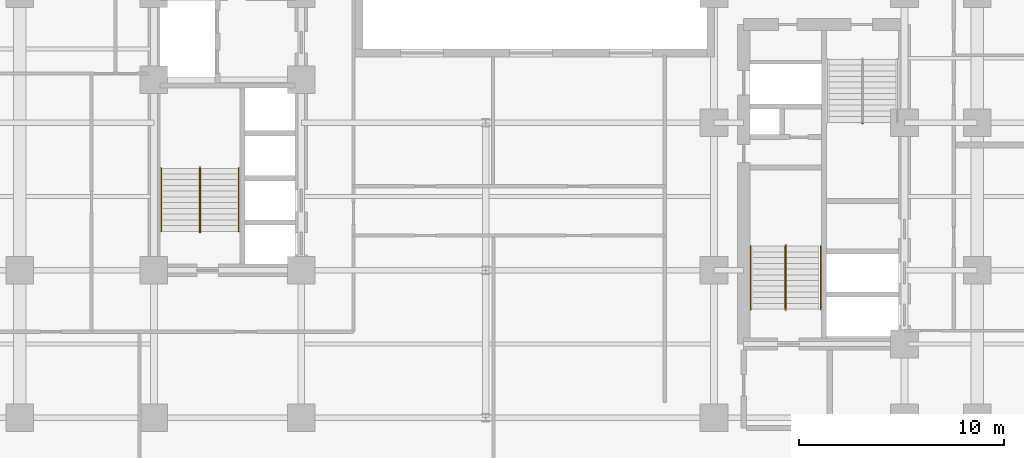
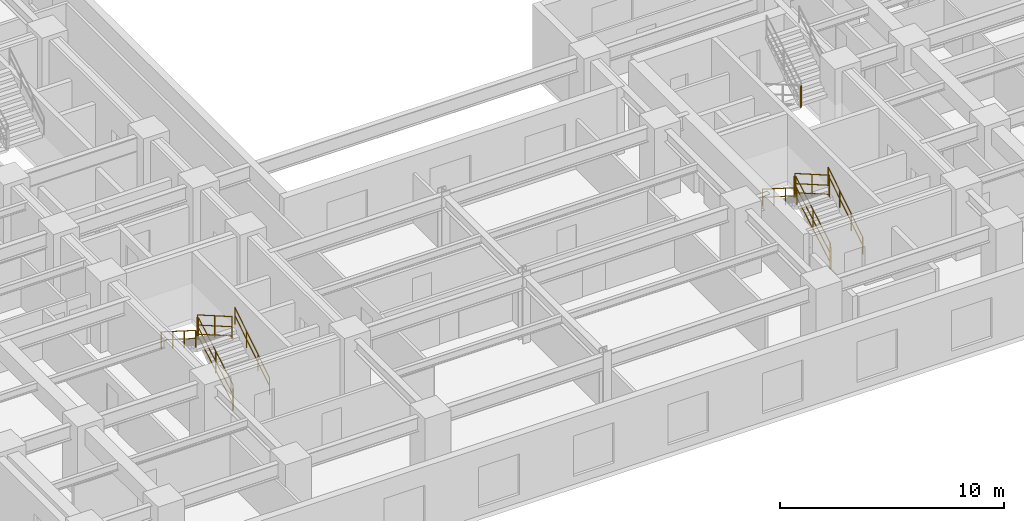
# One storey, part 7 of 9: 13 railings.
"""IFC4 building model written with IfcOpenShell, lengths in metres."""

import ifcopenshell
import ifcopenshell.guid

model = None  # the IFC model being written
_history = None  # IfcOwnerHistory: only IFC2X3 demands one
_inside = {}  # id of a spatial element -> (the spatial element, [elements in it])
_under = {}  # id of a project, library or spatial element -> (it, [spatial elements below it])
_declared = {}  # id of a project -> (the project, [libraries it declares])
_typed = {}  # id of a type object -> (the type object, [elements of that type])
_made_of = {}  # id of a material, layer set ... -> (it, [elements and type objects made of it])


def new_model(schema):
    """Start an empty IFC model of exactly this schema.

    Asked for "IFC4X3", IfcOpenShell would pick the latest addendum, in which some entities
    have other attributes; the version numbers below select the first issue.
    IFC2X3 requires an IfcOwnerHistory on every rooted entity: one is made here for all.
    """
    global model, _history
    if schema == "IFC4X3":
        model = ifcopenshell.file(schema_version=(4, 3, 0, 0))
    else:
        model = ifcopenshell.file(schema=schema)
    _inside.clear()
    _under.clear()
    _declared.clear()
    _typed.clear()
    _made_of.clear()
    _history = None
    if model.schema == "IFC2X3":
        org = make("IfcOrganization", Name="unknown")
        user = make(
            "IfcPersonAndOrganization",
            ThePerson=make("IfcPerson", FamilyName="unknown"),
            TheOrganization=org,
        )
        app = make(
            "IfcApplication",
            ApplicationDeveloper=org,
            Version="unknown",
            ApplicationFullName="unknown",
            ApplicationIdentifier="unknown",
        )
        _history = make(
            "IfcOwnerHistory",
            OwningUser=user,
            OwningApplication=app,
            ChangeAction="ADDED",
            CreationDate=0,
        )
    return model


def make(cls, **values):
    """One entity of the class cls with the attributes given. An attribute that is None is left unset."""
    return model.create_entity(
        cls, **{name: value for name, value in values.items() if value is not None}
    )


def entity(cls, *values):
    """Any entity or typed value of the class cls, its attributes in the order of the schema. None: left unset."""
    e = model.create_entity(cls)
    for i, value in enumerate(values):
        if value is not None:
            e[i] = value
    return e


def rooted(cls, **values):
    """An entity with a GlobalId (a new one), such as an element, a storey or a relation."""
    return make(cls, GlobalId=ifcopenshell.guid.new(), OwnerHistory=_history, **values)


def si_unit(unit_type, name, prefix=None):
    """IfcSIUnit, for example si_unit("LENGTHUNIT", "METRE", prefix="MILLI")."""
    return make("IfcSIUnit", UnitType=unit_type, Prefix=prefix, Name=name)


def converted_unit(unit_type, name, factor, base, dimensions=None, offset=None):
    """IfcConversionBasedUnit, such as the inch: factor (a typed value) times the base unit."""
    return make(
        "IfcConversionBasedUnit"
        if offset is None
        else "IfcConversionBasedUnitWithOffset",
        ConversionOffset=offset,
        Dimensions=None
        if dimensions is None
        else entity("IfcDimensionalExponents", *dimensions),
        UnitType=unit_type,
        Name=name,
        ConversionFactor=make(
            "IfcMeasureWithUnit", ValueComponent=factor, UnitComponent=base
        ),
    )


def assignment(units):
    """IfcUnitAssignment: the units of a project."""
    return None if units is None else make("IfcUnitAssignment", Units=units)


def point(xyz):
    """IfcCartesianPoint."""
    return None if xyz is None else make("IfcCartesianPoint", Coordinates=xyz)


def direction(xyz):
    """IfcDirection."""
    return None if xyz is None else make("IfcDirection", DirectionRatios=xyz)


def frame(location, z_axis=None, x_axis=None):
    """IfcAxis2Placement3D, a coordinate frame: its origin and axes. An axis left out is left unset."""
    return make(
        "IfcAxis2Placement3D",
        Location=point(location),
        Axis=direction(z_axis),
        RefDirection=direction(x_axis),
    )


def frame_2d(location, x_axis=None):
    """IfcAxis2Placement2D, a coordinate frame in the plane: its origin and x axis."""
    return make(
        "IfcAxis2Placement2D", Location=point(location), RefDirection=direction(x_axis)
    )


def origin_with_axes():
    """The frame at (0, 0, 0) with the z axis (0, 0, 1) and the x axis (1, 0, 0) written out."""
    return frame((0.0, 0.0, 0.0), z_axis=(0.0, 0.0, 1.0), x_axis=(1.0, 0.0, 0.0))


def origin_2d_with_axis():
    """The frame at (0, 0) in the plane with the x axis (1, 0) written out."""
    return frame_2d((0.0, 0.0), x_axis=(1.0, 0.0))


def place(relative_to, where):
    """IfcLocalPlacement: puts the frame where relative to a parent placement (None: the world)."""
    return make(
        "IfcLocalPlacement", PlacementRelTo=relative_to, RelativePlacement=where
    )


def context(
    kind, dimensions, precision=None, world=None, true_north=None, identifier=None
):
    """IfcGeometricRepresentationContext, for example the 3D "Model" context."""
    return make(
        "IfcGeometricRepresentationContext",
        ContextIdentifier=identifier,
        ContextType=kind,
        CoordinateSpaceDimension=dimensions,
        Precision=precision,
        WorldCoordinateSystem=world,
        TrueNorth=true_north,
    )


def subcontext(parent, identifier, kind, view, scale=None):
    """IfcGeometricRepresentationSubContext, for example "Body" below "Model"."""
    return make(
        "IfcGeometricRepresentationSubContext",
        ContextIdentifier=identifier,
        ContextType=kind,
        ParentContext=parent,
        TargetScale=scale,
        TargetView=view,
    )


def project(units=None, contexts=None):
    """IfcProject with its units and contexts."""
    return rooted(
        "IfcProject",
        Name="project",
        RepresentationContexts=contexts,
        UnitsInContext=assignment(units),
    )


def spatial(cls, under=None, at=None, **own):
    """A site, building, storey or space (cls), placed at a placement, below another one or the project."""
    s = rooted(cls, ObjectPlacement=at, **own)
    if under is not None:
        _under.setdefault(under.id(), (under, []))[1].append(s)
    return s


def profile(cls, at=None, kind="AREA", **sizes):
    """A parametric profile (cls). Its sizes go by their IFC names, for example OverallWidth=200.0."""
    return make(cls, ProfileType=kind, Position=at, **sizes)


def rectangle(**sizes):
    """IfcRectangleProfileDef."""
    return profile("IfcRectangleProfileDef", **sizes)


def circle(**sizes):
    """IfcCircleProfileDef."""
    return profile("IfcCircleProfileDef", **sizes)


def extrude(swept, where, along, depth):
    """IfcExtrudedAreaSolid: the profile swept, set in the frame where, extruded along a direction by depth."""
    return make(
        "IfcExtrudedAreaSolid",
        SweptArea=swept,
        Position=where,
        ExtrudedDirection=direction(along),
        Depth=depth,
    )


def shape(context_of_items, identifier, shape_type, items):
    """IfcShapeRepresentation: the items that make up one representation, for example the "Body"."""
    return make(
        "IfcShapeRepresentation",
        ContextOfItems=context_of_items,
        RepresentationIdentifier=identifier,
        RepresentationType=shape_type,
        Items=items,
    )


def material(Name=None, Category=None):
    """IfcMaterial."""
    return make("IfcMaterial", Name=Name, Category=Category)


def made_of(thing, what):
    """Note that an element or type object is made of a material, layer set ...; save() writes the relation."""
    if what is not None:
        _made_of.setdefault(what.id(), (what, []))[1].append(thing)
    return thing


def type_object(cls, material=None, **own):
    """A type object (cls), such as IfcWallType, which elements share."""
    return made_of(rooted(cls, **own), material)


def element(
    cls,
    number,
    at=None,
    inside=None,
    cuts=None,
    type_object=None,
    material=None,
    context=None,
    identifier="Body",
    shape_type=None,
    held_by="IfcProductDefinitionShape",
    body=None,
    shapes=None,
    **own,
):
    """One element of the class cls, such as IfcWall. Its Tag is "e" and its number.

    at: its placement. inside: the storey or other place that contains it. cuts: it is an
    opening in that element (IfcRelVoidsElement). A single representation is given by context,
    identifier, shape_type and body (its items); several are given by shapes. held_by: the class
    of the entity that holds the representations. save() writes the other relations.
    """
    e = rooted(cls, Tag="e%d" % number, ObjectPlacement=at, **own)
    if body is not None:
        shapes = [shape(context, identifier, shape_type, body)]
    if shapes is not None:
        e.Representation = make(held_by, Representations=shapes)
    if inside is not None:
        _inside.setdefault(inside.id(), (inside, []))[1].append(e)
    if cuts is not None:
        rooted(
            "IfcRelVoidsElement", RelatingBuildingElement=cuts, RelatedOpeningElement=e
        )
    if type_object is not None:
        _typed.setdefault(type_object.id(), (type_object, []))[1].append(e)
    return made_of(e, material)


def aggregate(whole, parts):
    """IfcRelAggregates: a whole, such as a stair, and the parts it consists of."""
    return rooted("IfcRelAggregates", RelatingObject=whole, RelatedObjects=parts)


def save(model, path):
    """Write the relations noted so far, then the file.

    IfcRelAggregates (storeys below a building ...), IfcRelContainedInSpatialStructure (elements
    in a storey), IfcRelDefinesByType, IfcRelAssociatesMaterial and IfcRelDeclares: one each for
    every whole, place, type object, material and project.
    """
    for whole, parts in _under.values():
        aggregate(whole, parts)
    for where, things in _inside.values():
        rooted(
            "IfcRelContainedInSpatialStructure",
            RelatedElements=things,
            RelatingStructure=where,
        )
    for kind, things in _typed.values():
        rooted("IfcRelDefinesByType", RelatedObjects=things, RelatingType=kind)
    for what, things in _made_of.values():
        rooted("IfcRelAssociatesMaterial", RelatedObjects=things, RelatingMaterial=what)
    for by, libraries in _declared.values():
        rooted("IfcRelDeclares", RelatingContext=by, RelatedDefinitions=libraries)
    model.write(path)


model = new_model("IFC4")

# Units and contexts
model_context = context("Model", 3, precision=1e-05, world=origin_with_axes(), true_north=direction((0.0, 1.0)))
body_context = subcontext(model_context, "Body", "Model", "MODEL_VIEW")
ifc_project = project(units=[si_unit("LENGTHUNIT", "METRE"), si_unit("AREAUNIT", "SQUARE_METRE"), si_unit("VOLUMEUNIT", "CUBIC_METRE"), converted_unit("PLANEANGLEUNIT", "DEGREE", entity("IfcPlaneAngleMeasure", 0.017453292519943295), si_unit("PLANEANGLEUNIT", "RADIAN"), dimensions=[0, 0, 0, 0, 0, 0, 0]), si_unit("MASSUNIT", "GRAM", prefix="KILO"), si_unit("THERMODYNAMICTEMPERATUREUNIT", "KELVIN")], contexts=[model_context])

# Site, building, storey
site_placement = place(None, origin_with_axes())
site = spatial("IfcSite", under=ifc_project, at=site_placement, CompositionType="ELEMENT")
building_placement = place(site_placement, origin_with_axes())
building = spatial("IfcBuilding", under=site, at=building_placement, Name="Varnlund Millrace Tower", CompositionType="ELEMENT")
storey_placement = place(building_placement, frame((0.0, 0.0, 36.6), z_axis=(0.0, 0.0, 1.0), x_axis=(1.0, 0.0, 0.0)))
storey = spatial("IfcBuildingStorey", under=building, at=storey_placement, Name="L08", CompositionType="ELEMENT", Elevation=36.6)

# Railings
ifc_material_1 = material(Name="Painted steel stair well balustrade guard", Category="steel")
railing_type_1 = type_object("IfcRailingType", Name="Type-StairGuard-1150", PredefinedType="GUARDRAIL", material=ifc_material_1)
railing_1_placement = place(storey_placement, frame((0.0, 0.0, -36.6), z_axis=(0.0, 0.0, 1.0), x_axis=(1.0, 0.0, 0.0)))
element("IfcRailing", 1, at=railing_1_placement, inside=storey, type_object=railing_type_1, Name="Type-StairGuard-1150", PredefinedType="GUARDRAIL", context=body_context, shape_type="SweptSolid", body=[
    extrude(circle(Radius=0.024, at=origin_2d_with_axis()), frame((13.675, 12.7, 37.927273), z_axis=(0.0, 0.866696, 0.498836), x_axis=(-1.0, 0.0, 0.0)), (0.0, 0.0, 1.0), 3.553725),
    extrude(circle(Radius=0.024, at=origin_2d_with_axis()), frame((13.675, 12.7, 36.877273), z_axis=(0.0, 0.866696, 0.498836), x_axis=(-1.0, 0.0, 0.0)), (0.0, 0.0, 1.0), 3.553725),
    extrude(circle(Radius=0.024, at=origin_2d_with_axis()), frame((13.675, 12.7, 37.375273), z_axis=(0.0, 0.866696, 0.498836), x_axis=(-1.0, 0.0, 0.0)), (0.0, 0.0, 1.0), 3.553725),
    extrude(rectangle(XDim=0.04, YDim=0.04, at=origin_2d_with_axis()), frame((13.675, 12.7, 36.737273), z_axis=(0.0, 0.0, 1.0), x_axis=(1.0, 0.0, 0.0)), (0.0, 0.0, 1.0), 1.19),
    extrude(rectangle(XDim=0.04, YDim=0.04, at=origin_2d_with_axis()), frame((13.675, 14.24, 37.623636), z_axis=(0.0, 0.0, 1.0), x_axis=(1.0, 0.0, 0.0)), (0.0, 0.0, 1.0), 1.19),
    extrude(rectangle(XDim=0.04, YDim=0.04, at=origin_2d_with_axis()), frame((13.675, 15.78, 38.51), z_axis=(0.0, 0.0, 1.0), x_axis=(1.0, 0.0, 0.0)), (0.0, 0.0, 1.0), 1.19),
])
railing_2_placement = place(storey_placement, frame((0.0, 0.0, -36.6), z_axis=(0.0, 0.0, 1.0), x_axis=(1.0, 0.0, 0.0)))
element("IfcRailing", 2, at=railing_2_placement, inside=storey, type_object=railing_type_1, Name="Type-StairGuard-1150", PredefinedType="GUARDRAIL", context=body_context, shape_type="SweptSolid", body=[
    extrude(circle(Radius=0.024, at=origin_2d_with_axis()), frame((13.625, 15.83, 39.7), z_axis=(1.0, 0.0, 0.0), x_axis=(0.0, 1.0, 0.0)), (0.0, 0.0, 1.0), 0.05),
    extrude(circle(Radius=0.024, at=origin_2d_with_axis()), frame((13.625, 15.83, 38.65), z_axis=(1.0, 0.0, 0.0), x_axis=(0.0, 1.0, 0.0)), (0.0, 0.0, 1.0), 0.05),
    extrude(circle(Radius=0.024, at=origin_2d_with_axis()), frame((13.625, 15.83, 39.148), z_axis=(1.0, 0.0, 0.0), x_axis=(0.0, 1.0, 0.0)), (0.0, 0.0, 1.0), 0.05),
    extrude(rectangle(XDim=0.04, YDim=0.04, at=origin_2d_with_axis()), frame((13.625, 15.83, 38.51), z_axis=(0.0, 0.0, 1.0), x_axis=(1.0, 0.0, 0.0)), (0.0, 0.0, 1.0), 1.19),
    extrude(rectangle(XDim=0.04, YDim=0.04, at=origin_2d_with_axis()), frame((13.675, 15.83, 38.51), z_axis=(0.0, 0.0, 1.0), x_axis=(1.0, 0.0, 0.0)), (0.0, 0.0, 1.0), 1.19),
])
railing_3_placement = place(storey_placement, frame((0.0, 0.0, -36.6), z_axis=(0.0, 0.0, 1.0), x_axis=(1.0, 0.0, 0.0)))
element("IfcRailing", 3, at=railing_3_placement, inside=storey, type_object=railing_type_1, Name="Type-StairGuard-1150", PredefinedType="GUARDRAIL", context=body_context, shape_type="SweptSolid", body=[
    extrude(circle(Radius=0.024, at=origin_2d_with_axis()), frame((13.625, 15.78, 39.877273), z_axis=(0.0, -0.866696, 0.498836), x_axis=(1.0, 0.0, 0.0)), (0.0, 0.0, 1.0), 3.553725),
    extrude(circle(Radius=0.024, at=origin_2d_with_axis()), frame((13.625, 15.78, 38.827273), z_axis=(0.0, -0.866696, 0.498836), x_axis=(1.0, 0.0, 0.0)), (0.0, 0.0, 1.0), 3.553725),
    extrude(circle(Radius=0.024, at=origin_2d_with_axis()), frame((13.625, 15.78, 39.325273), z_axis=(0.0, -0.866696, 0.498836), x_axis=(1.0, 0.0, 0.0)), (0.0, 0.0, 1.0), 3.553725),
    extrude(rectangle(XDim=0.04, YDim=0.04, at=origin_2d_with_axis()), frame((13.625, 15.78, 38.687273), z_axis=(0.0, 0.0, 1.0), x_axis=(1.0, 0.0, 0.0)), (0.0, 0.0, 1.0), 1.19),
    extrude(rectangle(XDim=0.04, YDim=0.04, at=origin_2d_with_axis()), frame((13.625, 14.24, 39.573636), z_axis=(0.0, 0.0, 1.0), x_axis=(1.0, 0.0, 0.0)), (0.0, 0.0, 1.0), 1.19),
    extrude(rectangle(XDim=0.04, YDim=0.04, at=origin_2d_with_axis()), frame((13.625, 12.7, 40.46), z_axis=(0.0, 0.0, 1.0), x_axis=(1.0, 0.0, 0.0)), (0.0, 0.0, 1.0), 1.19),
])
railing_4_placement = place(storey_placement, frame((0.0, 0.0, -36.6), z_axis=(0.0, 0.0, 1.0), x_axis=(1.0, 0.0, 0.0)))
element("IfcRailing", 4, at=railing_4_placement, inside=storey, type_object=railing_type_1, Name="Type-StairGuard-1150", PredefinedType="GUARDRAIL", context=body_context, shape_type="SweptSolid", body=[
    extrude(circle(Radius=0.024, at=origin_2d_with_axis()), frame((13.625, 12.65, 37.75), z_axis=(1.0, 0.0, 0.0), x_axis=(0.0, 1.0, 0.0)), (0.0, 0.0, 1.0), 0.05),
    extrude(circle(Radius=0.024, at=origin_2d_with_axis()), frame((13.625, 12.65, 36.7), z_axis=(1.0, 0.0, 0.0), x_axis=(0.0, 1.0, 0.0)), (0.0, 0.0, 1.0), 0.05),
    extrude(circle(Radius=0.024, at=origin_2d_with_axis()), frame((13.625, 12.65, 37.198), z_axis=(1.0, 0.0, 0.0), x_axis=(0.0, 1.0, 0.0)), (0.0, 0.0, 1.0), 0.05),
    extrude(rectangle(XDim=0.04, YDim=0.04, at=origin_2d_with_axis()), frame((13.625, 12.65, 36.56), z_axis=(0.0, 0.0, 1.0), x_axis=(1.0, 0.0, 0.0)), (0.0, 0.0, 1.0), 1.19),
    extrude(rectangle(XDim=0.04, YDim=0.04, at=origin_2d_with_axis()), frame((13.675, 12.65, 36.56), z_axis=(0.0, 0.0, 1.0), x_axis=(1.0, 0.0, 0.0)), (0.0, 0.0, 1.0), 1.19),
])
railing_5_placement = place(storey_placement, frame((0.0, 0.0, -36.6), z_axis=(0.0, 0.0, 1.0), x_axis=(1.0, 0.0, 0.0)))
element("IfcRailing", 5, at=railing_5_placement, inside=storey, type_object=railing_type_1, Name="Type-StairGuard-1150", PredefinedType="GUARDRAIL", context=body_context, shape_type="SweptSolid", body=[
    extrude(circle(Radius=0.024, at=origin_2d_with_axis()), frame((42.275, 8.9, 37.927273), z_axis=(0.0, 0.866696, 0.498836), x_axis=(-1.0, 0.0, 0.0)), (0.0, 0.0, 1.0), 3.553725),
    extrude(circle(Radius=0.024, at=origin_2d_with_axis()), frame((42.275, 8.9, 36.877273), z_axis=(0.0, 0.866696, 0.498836), x_axis=(-1.0, 0.0, 0.0)), (0.0, 0.0, 1.0), 3.553725),
    extrude(circle(Radius=0.024, at=origin_2d_with_axis()), frame((42.275, 8.9, 37.375273), z_axis=(0.0, 0.866696, 0.498836), x_axis=(-1.0, 0.0, 0.0)), (0.0, 0.0, 1.0), 3.553725),
    extrude(rectangle(XDim=0.04, YDim=0.04, at=origin_2d_with_axis()), frame((42.275, 8.9, 36.737273), z_axis=(0.0, 0.0, 1.0), x_axis=(1.0, 0.0, 0.0)), (0.0, 0.0, 1.0), 1.19),
    extrude(rectangle(XDim=0.04, YDim=0.04, at=origin_2d_with_axis()), frame((42.275, 10.44, 37.623636), z_axis=(0.0, 0.0, 1.0), x_axis=(1.0, 0.0, 0.0)), (0.0, 0.0, 1.0), 1.19),
    extrude(rectangle(XDim=0.04, YDim=0.04, at=origin_2d_with_axis()), frame((42.275, 11.98, 38.51), z_axis=(0.0, 0.0, 1.0), x_axis=(1.0, 0.0, 0.0)), (0.0, 0.0, 1.0), 1.19),
])
railing_6_placement = place(storey_placement, frame((0.0, 0.0, -36.6), z_axis=(0.0, 0.0, 1.0), x_axis=(1.0, 0.0, 0.0)))
element("IfcRailing", 6, at=railing_6_placement, inside=storey, type_object=railing_type_1, Name="Type-StairGuard-1150", PredefinedType="GUARDRAIL", context=body_context, shape_type="SweptSolid", body=[
    extrude(circle(Radius=0.024, at=origin_2d_with_axis()), frame((42.225, 12.03, 39.7), z_axis=(1.0, 0.0, 0.0), x_axis=(0.0, 1.0, 0.0)), (0.0, 0.0, 1.0), 0.05),
    extrude(circle(Radius=0.024, at=origin_2d_with_axis()), frame((42.225, 12.03, 38.65), z_axis=(1.0, 0.0, 0.0), x_axis=(0.0, 1.0, 0.0)), (0.0, 0.0, 1.0), 0.05),
    extrude(circle(Radius=0.024, at=origin_2d_with_axis()), frame((42.225, 12.03, 39.148), z_axis=(1.0, 0.0, 0.0), x_axis=(0.0, 1.0, 0.0)), (0.0, 0.0, 1.0), 0.05),
    extrude(rectangle(XDim=0.04, YDim=0.04, at=origin_2d_with_axis()), frame((42.225, 12.03, 38.51), z_axis=(0.0, 0.0, 1.0), x_axis=(1.0, 0.0, 0.0)), (0.0, 0.0, 1.0), 1.19),
    extrude(rectangle(XDim=0.04, YDim=0.04, at=origin_2d_with_axis()), frame((42.275, 12.03, 38.51), z_axis=(0.0, 0.0, 1.0), x_axis=(1.0, 0.0, 0.0)), (0.0, 0.0, 1.0), 1.19),
])
railing_7_placement = place(storey_placement, frame((0.0, 0.0, -36.6), z_axis=(0.0, 0.0, 1.0), x_axis=(1.0, 0.0, 0.0)))
element("IfcRailing", 7, at=railing_7_placement, inside=storey, type_object=railing_type_1, Name="Type-StairGuard-1150", PredefinedType="GUARDRAIL", context=body_context, shape_type="SweptSolid", body=[
    extrude(circle(Radius=0.024, at=origin_2d_with_axis()), frame((42.225, 11.98, 39.877273), z_axis=(0.0, -0.866696, 0.498836), x_axis=(1.0, 0.0, 0.0)), (0.0, 0.0, 1.0), 3.553725),
    extrude(circle(Radius=0.024, at=origin_2d_with_axis()), frame((42.225, 11.98, 38.827273), z_axis=(0.0, -0.866696, 0.498836), x_axis=(1.0, 0.0, 0.0)), (0.0, 0.0, 1.0), 3.553725),
    extrude(circle(Radius=0.024, at=origin_2d_with_axis()), frame((42.225, 11.98, 39.325273), z_axis=(0.0, -0.866696, 0.498836), x_axis=(1.0, 0.0, 0.0)), (0.0, 0.0, 1.0), 3.553725),
    extrude(rectangle(XDim=0.04, YDim=0.04, at=origin_2d_with_axis()), frame((42.225, 11.98, 38.687273), z_axis=(0.0, 0.0, 1.0), x_axis=(1.0, 0.0, 0.0)), (0.0, 0.0, 1.0), 1.19),
    extrude(rectangle(XDim=0.04, YDim=0.04, at=origin_2d_with_axis()), frame((42.225, 10.44, 39.573636), z_axis=(0.0, 0.0, 1.0), x_axis=(1.0, 0.0, 0.0)), (0.0, 0.0, 1.0), 1.19),
    extrude(rectangle(XDim=0.04, YDim=0.04, at=origin_2d_with_axis()), frame((42.225, 8.9, 40.46), z_axis=(0.0, 0.0, 1.0), x_axis=(1.0, 0.0, 0.0)), (0.0, 0.0, 1.0), 1.19),
])
railing_8_placement = place(storey_placement, frame((0.0, 0.0, -36.6), z_axis=(0.0, 0.0, 1.0), x_axis=(1.0, 0.0, 0.0)))
element("IfcRailing", 8, at=railing_8_placement, inside=storey, type_object=railing_type_1, Name="Type-StairGuard-1150", PredefinedType="GUARDRAIL", context=body_context, shape_type="SweptSolid", body=[
    extrude(circle(Radius=0.024, at=origin_2d_with_axis()), frame((42.225, 8.85, 37.75), z_axis=(1.0, 0.0, 0.0), x_axis=(0.0, 1.0, 0.0)), (0.0, 0.0, 1.0), 0.05),
    extrude(circle(Radius=0.024, at=origin_2d_with_axis()), frame((42.225, 8.85, 36.7), z_axis=(1.0, 0.0, 0.0), x_axis=(0.0, 1.0, 0.0)), (0.0, 0.0, 1.0), 0.05),
    extrude(circle(Radius=0.024, at=origin_2d_with_axis()), frame((42.225, 8.85, 37.198), z_axis=(1.0, 0.0, 0.0), x_axis=(0.0, 1.0, 0.0)), (0.0, 0.0, 1.0), 0.05),
    extrude(rectangle(XDim=0.04, YDim=0.04, at=origin_2d_with_axis()), frame((42.225, 8.85, 36.56), z_axis=(0.0, 0.0, 1.0), x_axis=(1.0, 0.0, 0.0)), (0.0, 0.0, 1.0), 1.19),
    extrude(rectangle(XDim=0.04, YDim=0.04, at=origin_2d_with_axis()), frame((42.275, 8.85, 36.56), z_axis=(0.0, 0.0, 1.0), x_axis=(1.0, 0.0, 0.0)), (0.0, 0.0, 1.0), 1.19),
])
railing_9_placement = place(storey_placement, frame((0.0, 0.0, -36.6), z_axis=(0.0, 0.0, 1.0), x_axis=(1.0, 0.0, 0.0)))
element("IfcRailing", 9, at=railing_9_placement, inside=storey, type_object=railing_type_1, Name="Type-StairGuard-1150", PredefinedType="GUARDRAIL", context=body_context, shape_type="SweptSolid", body=[
    extrude(circle(Radius=0.024, at=origin_2d_with_axis()), frame((46.025, 17.97, 39.7), z_axis=(-1.0, 0.0, 0.0), x_axis=(0.0, -1.0, 0.0)), (0.0, 0.0, 1.0), 0.05),
    extrude(circle(Radius=0.024, at=origin_2d_with_axis()), frame((46.025, 17.97, 38.65), z_axis=(-1.0, 0.0, 0.0), x_axis=(0.0, -1.0, 0.0)), (0.0, 0.0, 1.0), 0.05),
    extrude(circle(Radius=0.024, at=origin_2d_with_axis()), frame((46.025, 17.97, 39.148), z_axis=(-1.0, 0.0, 0.0), x_axis=(0.0, -1.0, 0.0)), (0.0, 0.0, 1.0), 0.05),
    extrude(rectangle(XDim=0.04, YDim=0.04, at=origin_2d_with_axis()), frame((46.025, 17.97, 38.51), z_axis=(0.0, 0.0, 1.0), x_axis=(1.0, 0.0, 0.0)), (0.0, 0.0, 1.0), 1.19),
    extrude(rectangle(XDim=0.04, YDim=0.04, at=origin_2d_with_axis()), frame((45.975, 17.97, 38.51), z_axis=(0.0, 0.0, 1.0), x_axis=(1.0, 0.0, 0.0)), (0.0, 0.0, 1.0), 1.19),
])
ifc_material_2 = material(Name="Brushed architectural bronze stair handrail", Category="aluminium")
railing_type_2 = type_object("IfcRailingType", Name="Type-StairHandrail-900", PredefinedType="HANDRAIL", material=ifc_material_2)
railing_10_placement = place(storey_placement, frame((0.0, 0.0, -36.6), z_axis=(0.0, 0.0, 1.0), x_axis=(1.0, 0.0, 0.0)))
element("IfcRailing", 10, at=railing_10_placement, inside=storey, type_object=railing_type_2, Name="Type-StairHandrail-900", PredefinedType="HANDRAIL", context=body_context, shape_type="SweptSolid", body=[
    extrude(circle(Radius=0.024, at=origin_2d_with_axis()), frame((15.55, 12.7, 37.656995), z_axis=(0.0, 0.844902, 0.534922), x_axis=(-1.0, 0.0, 0.0)), (0.0, 0.0, 1.0), 3.645394),
    extrude(circle(Radius=0.024, at=origin_2d_with_axis()), frame((15.55, 12.7, 37.217134), z_axis=(0.0, 0.844902, 0.534922), x_axis=(-1.0, 0.0, 0.0)), (0.0, 0.0, 1.0), 3.645394),
    extrude(rectangle(XDim=0.04, YDim=0.04, at=origin_2d_with_axis()), frame((15.55, 12.7, 36.737273), z_axis=(0.0, 0.0, 1.0), x_axis=(1.0, 0.0, 0.0)), (0.0, 0.0, 1.0), 0.919722),
    extrude(rectangle(XDim=0.04, YDim=0.04, at=origin_2d_with_axis()), frame((15.55, 13.726667, 37.387273), z_axis=(0.0, 0.0, 1.0), x_axis=(1.0, 0.0, 0.0)), (0.0, 0.0, 1.0), 0.919722),
    extrude(rectangle(XDim=0.04, YDim=0.04, at=origin_2d_with_axis()), frame((15.55, 14.753333, 38.037273), z_axis=(0.0, 0.0, 1.0), x_axis=(1.0, 0.0, 0.0)), (0.0, 0.0, 1.0), 0.919722),
    extrude(rectangle(XDim=0.04, YDim=0.04, at=origin_2d_with_axis()), frame((15.55, 15.78, 38.687273), z_axis=(0.0, 0.0, 1.0), x_axis=(1.0, 0.0, 0.0)), (0.0, 0.0, 1.0), 0.919722),
])
railing_11_placement = place(storey_placement, frame((0.0, 0.0, -36.6), z_axis=(0.0, 0.0, 1.0), x_axis=(1.0, 0.0, 0.0)))
element("IfcRailing", 11, at=railing_11_placement, inside=storey, type_object=railing_type_2, Name="Type-StairHandrail-900", PredefinedType="HANDRAIL", context=body_context, shape_type="SweptSolid", body=[
    extrude(circle(Radius=0.024, at=origin_2d_with_axis()), frame((11.75, 15.78, 39.606995), z_axis=(0.0, -0.844902, 0.534922), x_axis=(1.0, 0.0, 0.0)), (0.0, 0.0, 1.0), 3.645394),
    extrude(circle(Radius=0.024, at=origin_2d_with_axis()), frame((11.75, 15.78, 39.167134), z_axis=(0.0, -0.844902, 0.534922), x_axis=(1.0, 0.0, 0.0)), (0.0, 0.0, 1.0), 3.645394),
    extrude(rectangle(XDim=0.04, YDim=0.04, at=origin_2d_with_axis()), frame((11.75, 15.78, 38.687273), z_axis=(0.0, 0.0, 1.0), x_axis=(1.0, 0.0, 0.0)), (0.0, 0.0, 1.0), 0.919722),
    extrude(rectangle(XDim=0.04, YDim=0.04, at=origin_2d_with_axis()), frame((11.75, 14.753333, 39.337273), z_axis=(0.0, 0.0, 1.0), x_axis=(1.0, 0.0, 0.0)), (0.0, 0.0, 1.0), 0.919722),
    extrude(rectangle(XDim=0.04, YDim=0.04, at=origin_2d_with_axis()), frame((11.75, 13.726667, 39.987273), z_axis=(0.0, 0.0, 1.0), x_axis=(1.0, 0.0, 0.0)), (0.0, 0.0, 1.0), 0.919722),
    extrude(rectangle(XDim=0.04, YDim=0.04, at=origin_2d_with_axis()), frame((11.75, 12.7, 40.637273), z_axis=(0.0, 0.0, 1.0), x_axis=(1.0, 0.0, 0.0)), (0.0, 0.0, 1.0), 0.919722),
])
railing_12_placement = place(storey_placement, frame((0.0, 0.0, -36.6), z_axis=(0.0, 0.0, 1.0), x_axis=(1.0, 0.0, 0.0)))
element("IfcRailing", 12, at=railing_12_placement, inside=storey, type_object=railing_type_2, Name="Type-StairHandrail-900", PredefinedType="HANDRAIL", context=body_context, shape_type="SweptSolid", body=[
    extrude(circle(Radius=0.024, at=origin_2d_with_axis()), frame((43.95, 8.9, 37.656995), z_axis=(0.0, 0.844902, 0.534922), x_axis=(-1.0, 0.0, 0.0)), (0.0, 0.0, 1.0), 3.645394),
    extrude(circle(Radius=0.024, at=origin_2d_with_axis()), frame((43.95, 8.9, 37.217134), z_axis=(0.0, 0.844902, 0.534922), x_axis=(-1.0, 0.0, 0.0)), (0.0, 0.0, 1.0), 3.645394),
    extrude(rectangle(XDim=0.04, YDim=0.04, at=origin_2d_with_axis()), frame((43.95, 8.9, 36.737273), z_axis=(0.0, 0.0, 1.0), x_axis=(1.0, 0.0, 0.0)), (0.0, 0.0, 1.0), 0.919722),
    extrude(rectangle(XDim=0.04, YDim=0.04, at=origin_2d_with_axis()), frame((43.95, 9.926667, 37.387273), z_axis=(0.0, 0.0, 1.0), x_axis=(1.0, 0.0, 0.0)), (0.0, 0.0, 1.0), 0.919722),
    extrude(rectangle(XDim=0.04, YDim=0.04, at=origin_2d_with_axis()), frame((43.95, 10.953333, 38.037273), z_axis=(0.0, 0.0, 1.0), x_axis=(1.0, 0.0, 0.0)), (0.0, 0.0, 1.0), 0.919722),
    extrude(rectangle(XDim=0.04, YDim=0.04, at=origin_2d_with_axis()), frame((43.95, 11.98, 38.687273), z_axis=(0.0, 0.0, 1.0), x_axis=(1.0, 0.0, 0.0)), (0.0, 0.0, 1.0), 0.919722),
])
railing_13_placement = place(storey_placement, frame((0.0, 0.0, -36.6), z_axis=(0.0, 0.0, 1.0), x_axis=(1.0, 0.0, 0.0)))
element("IfcRailing", 13, at=railing_13_placement, inside=storey, type_object=railing_type_2, Name="Type-StairHandrail-900", PredefinedType="HANDRAIL", context=body_context, shape_type="SweptSolid", body=[
    extrude(circle(Radius=0.024, at=origin_2d_with_axis()), frame((40.55, 11.98, 39.606995), z_axis=(0.0, -0.844902, 0.534922), x_axis=(1.0, 0.0, 0.0)), (0.0, 0.0, 1.0), 3.645394),
    extrude(circle(Radius=0.024, at=origin_2d_with_axis()), frame((40.55, 11.98, 39.167134), z_axis=(0.0, -0.844902, 0.534922), x_axis=(1.0, 0.0, 0.0)), (0.0, 0.0, 1.0), 3.645394),
    extrude(rectangle(XDim=0.04, YDim=0.04, at=origin_2d_with_axis()), frame((40.55, 11.98, 38.687273), z_axis=(0.0, 0.0, 1.0), x_axis=(1.0, 0.0, 0.0)), (0.0, 0.0, 1.0), 0.919722),
    extrude(rectangle(XDim=0.04, YDim=0.04, at=origin_2d_with_axis()), frame((40.55, 10.953333, 39.337273), z_axis=(0.0, 0.0, 1.0), x_axis=(1.0, 0.0, 0.0)), (0.0, 0.0, 1.0), 0.919722),
    extrude(rectangle(XDim=0.04, YDim=0.04, at=origin_2d_with_axis()), frame((40.55, 9.926667, 39.987273), z_axis=(0.0, 0.0, 1.0), x_axis=(1.0, 0.0, 0.0)), (0.0, 0.0, 1.0), 0.919722),
    extrude(rectangle(XDim=0.04, YDim=0.04, at=origin_2d_with_axis()), frame((40.55, 8.9, 40.637273), z_axis=(0.0, 0.0, 1.0), x_axis=(1.0, 0.0, 0.0)), (0.0, 0.0, 1.0), 0.919722),
])

save(model, "model.ifc")
